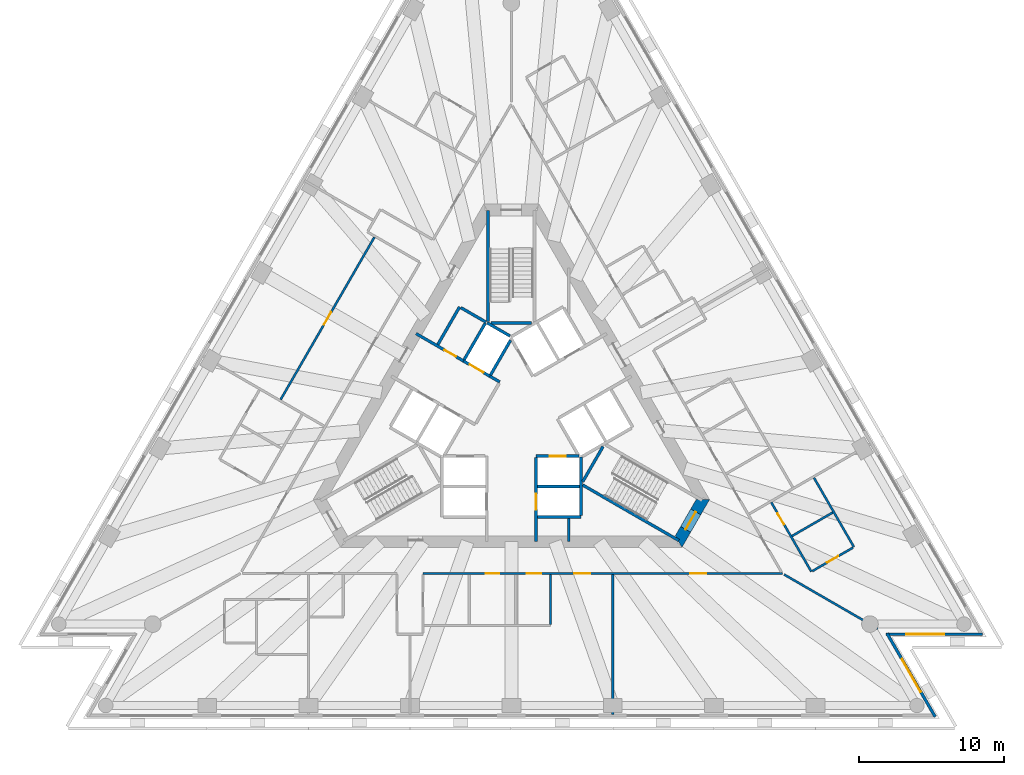
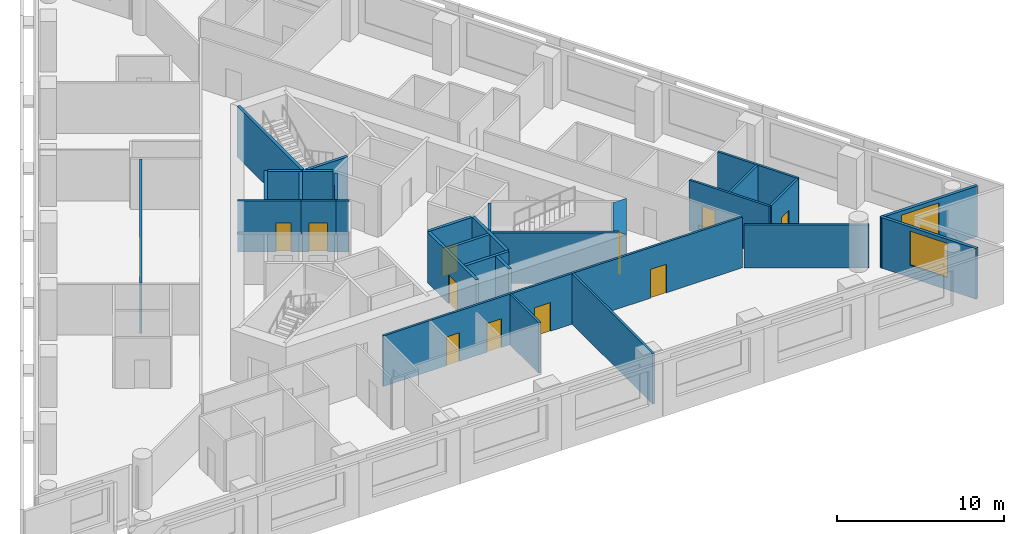
# One storey, part 5 of 10: 30 walls, 12 doors, 2 windows, 14 openings.
"""IFC4 building model written with IfcOpenShell, lengths in metres."""

import ifcopenshell
import ifcopenshell.guid

model = None  # the IFC model being written
_history = None  # IfcOwnerHistory: only IFC2X3 demands one
_inside = {}  # id of a spatial element -> (the spatial element, [elements in it])
_under = {}  # id of a project, library or spatial element -> (it, [spatial elements below it])
_declared = {}  # id of a project -> (the project, [libraries it declares])
_typed = {}  # id of a type object -> (the type object, [elements of that type])
_made_of = {}  # id of a material, layer set ... -> (it, [elements and type objects made of it])


def new_model(schema):
    """Start an empty IFC model of exactly this schema.

    Asked for "IFC4X3", IfcOpenShell would pick the latest addendum, in which some entities
    have other attributes; the version numbers below select the first issue.
    IFC2X3 requires an IfcOwnerHistory on every rooted entity: one is made here for all.
    """
    global model, _history
    if schema == "IFC4X3":
        model = ifcopenshell.file(schema_version=(4, 3, 0, 0))
    else:
        model = ifcopenshell.file(schema=schema)
    _inside.clear()
    _under.clear()
    _declared.clear()
    _typed.clear()
    _made_of.clear()
    _history = None
    if model.schema == "IFC2X3":
        org = make("IfcOrganization", Name="unknown")
        user = make(
            "IfcPersonAndOrganization",
            ThePerson=make("IfcPerson", FamilyName="unknown"),
            TheOrganization=org,
        )
        app = make(
            "IfcApplication",
            ApplicationDeveloper=org,
            Version="unknown",
            ApplicationFullName="unknown",
            ApplicationIdentifier="unknown",
        )
        _history = make(
            "IfcOwnerHistory",
            OwningUser=user,
            OwningApplication=app,
            ChangeAction="ADDED",
            CreationDate=0,
        )
    return model


def make(cls, **values):
    """One entity of the class cls with the attributes given. An attribute that is None is left unset."""
    return model.create_entity(
        cls, **{name: value for name, value in values.items() if value is not None}
    )


def rooted(cls, **values):
    """An entity with a GlobalId (a new one), such as an element, a storey or a relation."""
    return make(cls, GlobalId=ifcopenshell.guid.new(), OwnerHistory=_history, **values)


def si_unit(unit_type, name, prefix=None):
    """IfcSIUnit, for example si_unit("LENGTHUNIT", "METRE", prefix="MILLI")."""
    return make("IfcSIUnit", UnitType=unit_type, Prefix=prefix, Name=name)


def assignment(units):
    """IfcUnitAssignment: the units of a project."""
    return None if units is None else make("IfcUnitAssignment", Units=units)


def point(xyz):
    """IfcCartesianPoint."""
    return None if xyz is None else make("IfcCartesianPoint", Coordinates=xyz)


def direction(xyz):
    """IfcDirection."""
    return None if xyz is None else make("IfcDirection", DirectionRatios=xyz)


def frame(location, z_axis=None, x_axis=None):
    """IfcAxis2Placement3D, a coordinate frame: its origin and axes. An axis left out is left unset."""
    return make(
        "IfcAxis2Placement3D",
        Location=point(location),
        Axis=direction(z_axis),
        RefDirection=direction(x_axis),
    )


def frame_2d(location, x_axis=None):
    """IfcAxis2Placement2D, a coordinate frame in the plane: its origin and x axis."""
    return make(
        "IfcAxis2Placement2D", Location=point(location), RefDirection=direction(x_axis)
    )


def origin():
    """The frame at (0, 0, 0) with its axes left unset."""
    return frame((0.0, 0.0, 0.0))


def place(relative_to, where):
    """IfcLocalPlacement: puts the frame where relative to a parent placement (None: the world)."""
    return make(
        "IfcLocalPlacement", PlacementRelTo=relative_to, RelativePlacement=where
    )


def context(
    kind, dimensions, precision=None, world=None, true_north=None, identifier=None
):
    """IfcGeometricRepresentationContext, for example the 3D "Model" context."""
    return make(
        "IfcGeometricRepresentationContext",
        ContextIdentifier=identifier,
        ContextType=kind,
        CoordinateSpaceDimension=dimensions,
        Precision=precision,
        WorldCoordinateSystem=world,
        TrueNorth=true_north,
    )


def subcontext(parent, identifier, kind, view, scale=None):
    """IfcGeometricRepresentationSubContext, for example "Body" below "Model"."""
    return make(
        "IfcGeometricRepresentationSubContext",
        ContextIdentifier=identifier,
        ContextType=kind,
        ParentContext=parent,
        TargetScale=scale,
        TargetView=view,
    )


def project(units=None, contexts=None):
    """IfcProject with its units and contexts."""
    return rooted(
        "IfcProject",
        Name="project",
        RepresentationContexts=contexts,
        UnitsInContext=assignment(units),
    )


def spatial(cls, under=None, at=None, **own):
    """A site, building, storey or space (cls), placed at a placement, below another one or the project."""
    s = rooted(cls, ObjectPlacement=at, **own)
    if under is not None:
        _under.setdefault(under.id(), (under, []))[1].append(s)
    return s


def polyline(points):
    """IfcPolyline through the points."""
    return make("IfcPolyline", Points=[point(p) for p in points])


def profile(cls, at=None, kind="AREA", **sizes):
    """A parametric profile (cls). Its sizes go by their IFC names, for example OverallWidth=200.0."""
    return make(cls, ProfileType=kind, Position=at, **sizes)


def rectangle(**sizes):
    """IfcRectangleProfileDef."""
    return profile("IfcRectangleProfileDef", **sizes)


def outline(outer, holes=None, kind="AREA"):
    """IfcArbitraryClosedProfileDef: a profile drawn as a closed curve; with holes, ...WithVoids."""
    if holes is None:
        return make("IfcArbitraryClosedProfileDef", ProfileType=kind, OuterCurve=outer)
    return make(
        "IfcArbitraryProfileDefWithVoids",
        ProfileType=kind,
        OuterCurve=outer,
        InnerCurves=holes,
    )


def extrude(swept, where, along, depth):
    """IfcExtrudedAreaSolid: the profile swept, set in the frame where, extruded along a direction by depth."""
    return make(
        "IfcExtrudedAreaSolid",
        SweptArea=swept,
        Position=where,
        ExtrudedDirection=direction(along),
        Depth=depth,
    )


def shape(context_of_items, identifier, shape_type, items):
    """IfcShapeRepresentation: the items that make up one representation, for example the "Body"."""
    return make(
        "IfcShapeRepresentation",
        ContextOfItems=context_of_items,
        RepresentationIdentifier=identifier,
        RepresentationType=shape_type,
        Items=items,
    )


def material(Name=None, Category=None):
    """IfcMaterial."""
    return make("IfcMaterial", Name=Name, Category=Category)


def layer(
    of_material, thickness, ventilated=None, Name=None, Category=None, Priority=None
):
    """IfcMaterialLayer: one layer of a wall or slab, of a material (None: an air gap)."""
    return make(
        "IfcMaterialLayer",
        Material=of_material,
        LayerThickness=thickness,
        IsVentilated=ventilated,
        Name=Name,
        Category=Category,
        Priority=Priority,
    )


def layer_set(layers, Name=None):
    """IfcMaterialLayerSet."""
    return make("IfcMaterialLayerSet", MaterialLayers=layers, LayerSetName=Name)


def layer_usage(for_layer_set, set_direction, sense, offset, extent=None):
    """IfcMaterialLayerSetUsage: how a layer set lies in its element."""
    return make(
        "IfcMaterialLayerSetUsage",
        ForLayerSet=for_layer_set,
        LayerSetDirection=set_direction,
        DirectionSense=sense,
        OffsetFromReferenceLine=offset,
        ReferenceExtent=extent,
    )


def made_of(thing, what):
    """Note that an element or type object is made of a material, layer set ...; save() writes the relation."""
    if what is not None:
        _made_of.setdefault(what.id(), (what, []))[1].append(thing)
    return thing


def type_object(cls, material=None, **own):
    """A type object (cls), such as IfcWallType, which elements share."""
    return made_of(rooted(cls, **own), material)


def element(
    cls,
    number,
    at=None,
    inside=None,
    cuts=None,
    type_object=None,
    material=None,
    context=None,
    identifier="Body",
    shape_type=None,
    held_by="IfcProductDefinitionShape",
    body=None,
    shapes=None,
    **own,
):
    """One element of the class cls, such as IfcWall. Its Tag is "e" and its number.

    at: its placement. inside: the storey or other place that contains it. cuts: it is an
    opening in that element (IfcRelVoidsElement). A single representation is given by context,
    identifier, shape_type and body (its items); several are given by shapes. held_by: the class
    of the entity that holds the representations. save() writes the other relations.
    """
    e = rooted(cls, Tag="e%d" % number, ObjectPlacement=at, **own)
    if body is not None:
        shapes = [shape(context, identifier, shape_type, body)]
    if shapes is not None:
        e.Representation = make(held_by, Representations=shapes)
    if inside is not None:
        _inside.setdefault(inside.id(), (inside, []))[1].append(e)
    if cuts is not None:
        rooted(
            "IfcRelVoidsElement", RelatingBuildingElement=cuts, RelatedOpeningElement=e
        )
    if type_object is not None:
        _typed.setdefault(type_object.id(), (type_object, []))[1].append(e)
    return made_of(e, material)


def fill(opening, filler):
    """IfcRelFillsElement: the door or window that sits in an opening."""
    return rooted(
        "IfcRelFillsElement",
        RelatingOpeningElement=opening,
        RelatedBuildingElement=filler,
    )


def aggregate(whole, parts):
    """IfcRelAggregates: a whole, such as a stair, and the parts it consists of."""
    return rooted("IfcRelAggregates", RelatingObject=whole, RelatedObjects=parts)


def save(model, path):
    """Write the relations noted so far, then the file.

    IfcRelAggregates (storeys below a building ...), IfcRelContainedInSpatialStructure (elements
    in a storey), IfcRelDefinesByType, IfcRelAssociatesMaterial and IfcRelDeclares: one each for
    every whole, place, type object, material and project.
    """
    for whole, parts in _under.values():
        aggregate(whole, parts)
    for where, things in _inside.values():
        rooted(
            "IfcRelContainedInSpatialStructure",
            RelatedElements=things,
            RelatingStructure=where,
        )
    for kind, things in _typed.values():
        rooted("IfcRelDefinesByType", RelatedObjects=things, RelatingType=kind)
    for what, things in _made_of.values():
        rooted("IfcRelAssociatesMaterial", RelatedObjects=things, RelatingMaterial=what)
    for by, libraries in _declared.values():
        rooted("IfcRelDeclares", RelatingContext=by, RelatedDefinitions=libraries)
    model.write(path)


model = new_model("IFC4")

# Units and contexts
model_context = context("Model", 3, precision=1e-05, world=origin(), true_north=direction((0.0, 1.0)))
body_context = subcontext(model_context, "Body", "Model", "MODEL_VIEW")
ifc_project = project(units=[si_unit("LENGTHUNIT", "METRE"), si_unit("AREAUNIT", "SQUARE_METRE"), si_unit("VOLUMEUNIT", "CUBIC_METRE"), si_unit("PLANEANGLEUNIT", "RADIAN"), si_unit("MASSUNIT", "GRAM", prefix="KILO")], contexts=[model_context])

# Site, building, storey
site_placement = place(None, origin())
site = spatial("IfcSite", under=ifc_project, at=site_placement, CompositionType="ELEMENT")
building_placement = place(site_placement, origin())
building = spatial("IfcBuilding", under=site, at=building_placement, Name="Triada Interchange Tower", CompositionType="ELEMENT")
storey_placement = place(building_placement, frame((0.0, 0.0, 108.300048828125)))
storey = spatial("IfcBuildingStorey", under=building, at=storey_placement, Name="L24", CompositionType="ELEMENT", Elevation=108.300048828125)

# Walls
ifc_material_1 = material(Name="Concrete C30/37", Category="concrete")
ifc_layer_1 = layer(ifc_material_1, 0.199951171875)
ifc_layer_set_1 = layer_set([ifc_layer_1], Name="CORE WALL 200 EI 120")
wall_type_1 = type_object("IfcWallType", Name="CORE WALL 200 EI 120", PredefinedType="SOLIDWALL", material=ifc_layer_set_1)
wall_1_placement = place(storey_placement, frame((1.800048828125, -4.800048828125, 0.0), z_axis=(0.0, 0.0, 1.0), x_axis=(1.0, 0.0, 0.0)))
element("IfcWall", 1, at=wall_1_placement, inside=storey, type_object=wall_type_1, Name="Wall L23 67", PredefinedType="SOLIDWALL", context=body_context, shape_type="SweptSolid", body=[
    extrude(rectangle(XDim=2.89990234375, YDim=0.199951171875, at=frame_2d((1.449951171875, 0.0))), origin(), (0.0, 0.0, 1.0), 3.699951171875),
])
wall_2_placement = place(storey_placement, frame((1.800048828125, -6.89990234375, 0.0), z_axis=(0.0, 0.0, 1.0), x_axis=(1.0, 0.0, 0.0)))
element("IfcWall", 2, at=wall_2_placement, inside=storey, type_object=wall_type_1, Name="Wall L23 70", PredefinedType="SOLIDWALL", context=body_context, shape_type="SweptSolid", body=[
    extrude(rectangle(XDim=3.0, YDim=0.199951171875, at=frame_2d((1.5, 0.0))), origin(), (0.0, 0.0, 1.0), 3.699951171875),
])

# Wall, opening, door
wall_3_placement = place(storey_placement, frame((1.702880859375, -2.699951171875, 0.0), z_axis=(0.0, 0.0, 1.0), x_axis=(1.0, 0.0, 0.0)))
wall_3 = element("IfcWall", 3, at=wall_3_placement, inside=storey, type_object=wall_type_1, Name="Wall L23 73", PredefinedType="SOLIDWALL", context=body_context, shape_type="SweptSolid", body=[
    extrude(rectangle(XDim=2.97314453125, YDim=0.199951171875, at=frame_2d((1.486572265625, 0.0))), origin(), (0.0, 0.0, 1.0), 3.699951171875),
])
opening_1_placement = place(wall_3_placement, frame((0.93603515625, 0.0, 0.0)))
opening_1 = element("IfcOpeningElement", 4, at=opening_1_placement, cuts=wall_3, Name="Opening LD-LR1", PredefinedType="OPENING", context=body_context, shape_type="SweptSolid", body=[
    extrude(rectangle(XDim=1.10009765625, YDim=2.10009765625, at=frame_2d((0.550048828125, 1.050048828125))), frame((0.0, 0.10986328125, 0.0), z_axis=(0.0, -1.0, 0.0), x_axis=(1.0, 0.0, 0.0)), (0.0, 0.0, 1.0), 0.219970703125),
])
ifc_material_2 = material(Name="Steel S235 door leaf", Category="steel")
door_type_1 = type_object("IfcDoorType", Name="LIFT LANDING DOOR 1100 EI 120", OperationType="SLIDING_TO_LEFT", PredefinedType="DOOR", material=ifc_material_2)
door_1_placement = place(opening_1_placement, origin())
door_1 = element("IfcDoor", 5, at=door_1_placement, inside=storey, type_object=door_type_1, Name="LR1 landing door L24", OperationType="SLIDING_TO_LEFT", OverallHeight=2.10009765625, OverallWidth=1.10009765625, PredefinedType="DOOR", context=body_context, shape_type="SweptSolid", body=[
    extrude(rectangle(XDim=1.10009765625, YDim=2.10009765625, at=frame_2d((0.550048828125, 1.050048828125))), frame((0.0, 0.02490234375, 0.0), z_axis=(0.0, -1.0, 0.0), x_axis=(1.0, 0.0, 0.0)), (0.0, 0.0, 1.0), 0.050048828125),
])
fill(opening_1, door_1)

wall_4_placement = place(storey_placement, frame((1.699951171875, -8.580078125, 0.0), z_axis=(0.0, 0.0, 1.0), x_axis=(0.0, 1.0, 0.0)))
wall_4 = element("IfcWall", 6, at=wall_4_placement, inside=storey, type_object=wall_type_1, Name="Wall L23 78", PredefinedType="SOLIDWALL", context=body_context, shape_type="SweptSolid", body=[
    extrude(rectangle(XDim=5.777099609375, YDim=0.199951171875, at=frame_2d((2.888671875, 0.0))), origin(), (0.0, 0.0, 1.0), 3.699951171875),
])
opening_2_placement = place(wall_4_placement, frame((2.179931640625, 0.0, 0.0)))
opening_2 = element("IfcOpeningElement", 7, at=opening_2_placement, cuts=wall_4, Name="Opening LD-LR2", PredefinedType="OPENING", context=body_context, shape_type="SweptSolid", body=[
    extrude(rectangle(XDim=1.10009765625, YDim=2.10009765625, at=frame_2d((0.550048828125, 1.050048828125))), frame((0.0, 0.10986328125, 0.0), z_axis=(0.0, -1.0, 0.0), x_axis=(1.0, 0.0, 0.0)), (0.0, 0.0, 1.0), 0.219970703125),
])
door_2_placement = place(opening_2_placement, origin())
door_2 = element("IfcDoor", 8, at=door_2_placement, inside=storey, type_object=door_type_1, Name="LR2 landing door L24", OperationType="SLIDING_TO_LEFT", OverallHeight=2.10009765625, OverallWidth=1.10009765625, PredefinedType="DOOR", context=body_context, shape_type="SweptSolid", body=[
    extrude(rectangle(XDim=1.10009765625, YDim=2.10009765625, at=frame_2d((0.550048828125, 1.050048828125))), frame((0.0, 0.02490234375, 0.0), z_axis=(0.0, -1.0, 0.0), x_axis=(1.0, 0.0, 0.0)), (0.0, 0.0, 1.0), 0.050048828125),
])
fill(opening_2, door_2)

# Wall
wall_5_placement = place(storey_placement, frame((4.800048828125, -6.800048828125, 0.0), z_axis=(0.0, 0.0, 1.0), x_axis=(0.0, 1.0, 0.0)))
element("IfcWall", 9, at=wall_5_placement, inside=storey, type_object=wall_type_1, Name="Wall L23 79", PredefinedType="SOLIDWALL", context=body_context, shape_type="SweptSolid", body=[
    extrude(rectangle(XDim=4.029052734375, YDim=0.199951171875, at=frame_2d((2.0146484375, 0.0))), origin(), (0.0, 0.0, 1.0), 3.699951171875),
])

# Wall, opening, door
ifc_layer_2 = layer(ifc_material_1, 0.199951171875)
ifc_layer_set_2 = layer_set([ifc_layer_2], Name="CORE WALL 200 EI 180")
wall_type_2 = type_object("IfcWallType", Name="CORE WALL 200 EI 180", PredefinedType="SOLIDWALL", material=ifc_layer_set_2)
wall_6_placement = place(storey_placement, frame((-6.580078125, 5.761962890625, 0.0), z_axis=(0.0, 0.0, 1.0), x_axis=(0.866029704776, -0.49999255039, 0.0)))
wall_6 = element("IfcWall", 10, at=wall_6_placement, inside=storey, type_object=wall_type_2, Name="Wall L23 88", PredefinedType="SOLIDWALL", context=body_context, shape_type="SweptSolid", body=[
    extrude(rectangle(XDim=3.78173828125, YDim=0.199951171875, at=frame_2d((1.890869140625, 0.0))), origin(), (0.0, 0.0, 1.0), 3.699951171875),
])
opening_3_placement = place(wall_6_placement, frame((2.279052734375, 0.0, 0.0)))
opening_3 = element("IfcOpeningElement", 11, at=opening_3_placement, cuts=wall_6, Name="Opening D23-10", PredefinedType="OPENING", context=body_context, shape_type="SweptSolid", body=[
    extrude(rectangle(XDim=0.89990234375, YDim=2.10009765625, at=frame_2d((0.449951171875, 1.050048828125))), frame((0.0, 0.10986328125, 0.0), z_axis=(0.0, -1.0, 0.0), x_axis=(1.0, 0.0, 0.0)), (0.0, 0.0, 1.0), 0.219970703125),
])
door_type_2 = type_object("IfcDoorType", Name="SERVICE DOOR 900 EI2 90-C5S200", OperationType="NOTDEFINED", PredefinedType="DOOR", material=ifc_material_2)
door_3_placement = place(opening_3_placement, origin())
door_3 = element("IfcDoor", 12, at=door_3_placement, inside=storey, type_object=door_type_2, Name="Door D23-10 L24", OperationType="SINGLE_SWING_LEFT", OverallHeight=2.10009765625, OverallWidth=0.89990234375, PredefinedType="DOOR", context=body_context, shape_type="SweptSolid", body=[
    extrude(rectangle(XDim=0.89990234375, YDim=2.10009765625, at=frame_2d((0.449951171875, 1.050048828125))), frame((0.0, 0.02490234375, 0.0), z_axis=(0.0, -1.0, 0.0), x_axis=(1.0, 0.0, 0.0)), (0.0, 0.0, 1.0), 0.050048828125),
])
fill(opening_3, door_3)

# Walls
wall_7_placement = place(storey_placement, frame((-1.488037109375, 2.822021484375, 0.0), z_axis=(0.0, 0.0, 1.0), x_axis=(0.866236612152, -0.499633997809, 0.0)))
element("IfcWall", 13, at=wall_7_placement, inside=storey, type_object=wall_type_2, Name="Wall L23 89", PredefinedType="SOLIDWALL", context=body_context, shape_type="SweptSolid", body=[
    extrude(rectangle(XDim=0.79638671875, YDim=0.199951171875, at=frame_2d((0.398193359375, 0.0))), origin(), (0.0, 0.0, 1.0), 3.699951171875),
])
wall_8_placement = place(storey_placement, frame((-5.075927734375, 5.009033203125, 0.0), z_axis=(0.0, 0.0, 1.0), x_axis=(0.50002537861, 0.866010750942, 0.0)))
element("IfcWall", 14, at=wall_8_placement, inside=storey, type_object=wall_type_2, Name="Wall L23 90", PredefinedType="SOLIDWALL", context=body_context, shape_type="SweptSolid", body=[
    extrude(rectangle(XDim=2.999755859375, YDim=0.199951171875, at=frame_2d((1.5, 0.0))), origin(), (0.0, 0.0, 1.0), 3.699951171875),
])
wall_9_placement = place(storey_placement, frame((-3.489013671875, 7.556884765625, 0.0), z_axis=(0.0, 0.0, 1.0), x_axis=(0.866010750942, -0.50002537861, 0.0)))
element("IfcWall", 15, at=wall_9_placement, inside=storey, type_object=wall_type_2, Name="Wall L23 91", PredefinedType="SOLIDWALL", context=body_context, shape_type="SweptSolid", body=[
    extrude(rectangle(XDim=2.0, YDim=0.199951171875, at=frame_2d((1.0, 0.0))), origin(), (0.0, 0.0, 1.0), 3.699951171875),
])

# Wall, opening, door
wall_10_placement = place(storey_placement, frame((-3.30908203125, 3.873046875, 0.0), z_axis=(0.0, 0.0, 1.0), x_axis=(0.866098583652, -0.499873227325, 0.0)))
wall_10 = element("IfcWall", 16, at=wall_10_placement, inside=storey, type_object=wall_type_2, Name="Shaft wall FF2 L23 97", PredefinedType="SOLIDWALL", context=body_context, shape_type="SweptSolid", body=[
    extrude(rectangle(XDim=2.1025390625, YDim=0.199951171875, at=frame_2d((1.05126953125, 0.0))), origin(), (0.0, 0.0, 1.0), 3.699951171875),
])
opening_4_placement = place(wall_10_placement, frame((0.501953125, 0.0, 0.0)))
opening_4 = element("IfcOpeningElement", 17, at=opening_4_placement, cuts=wall_10, Name="Opening LD-FF2", PredefinedType="OPENING", context=body_context, shape_type="SweptSolid", body=[
    extrude(rectangle(XDim=1.10009765625, YDim=2.10009765625, at=frame_2d((0.550048828125, 1.050048828125))), frame((0.0, 0.10986328125, 0.0), z_axis=(0.0, -1.0, 0.0), x_axis=(1.0, 0.0, 0.0)), (0.0, 0.0, 1.0), 0.219970703125),
])
door_4_placement = place(opening_4_placement, origin())
door_4 = element("IfcDoor", 18, at=door_4_placement, inside=storey, type_object=door_type_1, Name="FF2 landing door L24", OperationType="SLIDING_TO_LEFT", OverallHeight=2.10009765625, OverallWidth=1.10009765625, PredefinedType="DOOR", context=body_context, shape_type="SweptSolid", body=[
    extrude(rectangle(XDim=1.10009765625, YDim=2.10009765625, at=frame_2d((0.550048828125, 1.050048828125))), frame((0.0, 0.02490234375, 0.0), z_axis=(0.0, -1.0, 0.0), x_axis=(1.0, 0.0, 0.0)), (0.0, 0.0, 1.0), 0.050048828125),
])
fill(opening_4, door_4)

# Walls
wall_11_placement = place(storey_placement, frame((-3.257080078125, 3.958984375, 0.0), z_axis=(0.0, 0.0, 1.0), x_axis=(0.50012328804, 0.865954211699, 0.0)))
element("IfcWall", 19, at=wall_11_placement, inside=storey, type_object=wall_type_2, Name="Shaft wall FF2 L23 98", PredefinedType="SOLIDWALL", context=body_context, shape_type="SweptSolid", body=[
    extrude(rectangle(XDim=2.899658203125, YDim=0.199951171875, at=frame_2d((1.44970703125, 0.0))), origin(), (0.0, 0.0, 1.0), 3.699951171875),
])
wall_12_placement = place(storey_placement, frame((-1.669921875, 6.507080078125, 0.0), z_axis=(0.0, 0.0, 1.0), x_axis=(0.865941441609, -0.500145398563, 0.0)))
element("IfcWall", 20, at=wall_12_placement, inside=storey, type_object=wall_type_2, Name="Shaft wall FF2 L23 99", PredefinedType="SOLIDWALL", context=body_context, shape_type="SweptSolid", body=[
    extrude(rectangle(XDim=1.8154296875, YDim=0.199951171875, at=frame_2d((0.90771484375, 0.0))), origin(), (0.0, 0.0, 1.0), 3.699951171875),
])
wall_13_placement = place(storey_placement, frame((-1.43798828125, 2.908935546875, 0.0), z_axis=(0.0, 0.0, 1.0), x_axis=(0.499829630636, 0.866123744241, 0.0)))
element("IfcWall", 21, at=wall_13_placement, inside=storey, type_object=wall_type_2, Name="Shaft wall FF2 L23 100", PredefinedType="SOLIDWALL", context=body_context, shape_type="SweptSolid", body=[
    extrude(rectangle(XDim=2.7607421875, YDim=0.199951171875, at=frame_2d((1.38037109375, 0.0))), origin(), (0.0, 0.0, 1.0), 3.699951171875),
])
ifc_layer_3 = layer(ifc_material_1, 0.199951171875)
ifc_layer_set_3 = layer_set([ifc_layer_3], Name="CORE WALL 200 EI 90")
wall_type_3 = type_object("IfcWallType", Name="CORE WALL 200 EI 90", PredefinedType="SOLIDWALL", material=ifc_layer_set_3)
wall_14_placement = place(storey_placement, frame((3.966064453125, -8.580078125, 0.0), z_axis=(0.0, 0.0, 1.0), x_axis=(0.0, 1.0, 0.0)))
element("IfcWall", 22, at=wall_14_placement, inside=storey, type_object=wall_type_3, Name="Wall L23 101", PredefinedType="SOLIDWALL", context=body_context, shape_type="SweptSolid", body=[
    extrude(rectangle(XDim=1.580078125, YDim=0.199951171875, at=frame_2d((0.7900390625, 0.0))), origin(), (0.0, 0.0, 1.0), 3.699951171875),
])
ifc_layer_4 = layer(ifc_material_1, 0.199951171875)
ifc_layer_set_4 = layer_set([ifc_layer_4], Name="CORE WALL 200 REI 240")
wall_type_4 = type_object("IfcWallType", Name="CORE WALL 200 REI 240", PredefinedType="SOLIDWALL", material=ifc_layer_set_4)
wall_15_placement = place(storey_placement, frame((-1.39990234375, 6.5, 0.0), z_axis=(0.0, 0.0, 1.0), x_axis=(1.0, 0.0, 0.0)))
element("IfcWall", 23, at=wall_15_placement, inside=storey, type_object=wall_type_4, Name="Wall L23 107", PredefinedType="SOLIDWALL", context=body_context, shape_type="SweptSolid", body=[
    extrude(rectangle(XDim=2.7998046875, YDim=0.199951171875, at=frame_2d((1.39990234375, 0.0))), origin(), (0.0, 0.0, 1.0), 3.699951171875),
])
for number, where, z_axis, x_axis, name in (
    (24, (-1.60009765625, 6.614990234375, 0.0), (0.0, 0.0, 1.0), (0.0, 1.0, 0.0), "Wall L23 108"),
    (25, (4.928955078125, -4.693115234375, 0.0), (0.0, 0.0, 1.0), (0.866005769735, -0.50003400563, 0.0), "Wall L23 109"),
):
    element("IfcWall", number, at=place(storey_placement, frame(where, z_axis=z_axis, x_axis=x_axis)), inside=storey, type_object=wall_type_4, Name=name, PredefinedType="SOLIDWALL", context=body_context, shape_type="SweptSolid", body=[
        extrude(rectangle(XDim=7.6650390625, YDim=0.199951171875, at=frame_2d((3.83251953125, 0.0))), origin(), (0.0, 0.0, 1.0), 3.699951171875),
    ])
wall_16_placement = place(storey_placement, frame((4.928955078125, -4.4619140625, 0.0), z_axis=(0.0, 0.0, 1.0), x_axis=(0.500200581029, 0.865909567298, 0.0)))
element("IfcWall", 26, at=wall_16_placement, inside=storey, type_object=wall_type_4, Name="Wall L23 110", PredefinedType="SOLIDWALL", context=body_context, shape_type="SweptSolid", body=[
    extrude(rectangle(XDim=2.799072265625, YDim=0.199951171875, at=frame_2d((1.3994140625, 0.0))), origin(), (0.0, 0.0, 1.0), 3.699951171875),
])

# Wall, opening, door
ifc_material_3 = material(Name="Concrete C60/75", Category="concrete")
ifc_layer_5 = layer(ifc_material_3, 0.800048828125)
ifc_layer_set_5 = layer_set([ifc_layer_5], Name="Core wall B 800")
wall_type_5 = type_object("IfcWallType", Name="Core wall B 800", PredefinedType="SHEAR", material=ifc_layer_set_5)
wall_17_placement = place(storey_placement, frame((11.547119140625, -8.60009765625, -0.300048828125), z_axis=(0.0, 0.0, 1.0), x_axis=(0.49987182685, 0.866099391942, 0.0)))
wall_17 = element("IfcWall", 27, at=wall_17_placement, inside=storey, type_object=wall_type_5, Name="Core wall WB05 L24", PredefinedType="SHEAR", context=body_context, shape_type="SweptSolid", body=[
    extrude(outline(polyline([(-0.23095703125, -0.39990234375), (1.674072265625, -0.39990234375), (3.5791015625, -0.39990234375), (3.117919921875, 0.39990234375), (1.67431640625, 0.39990234375), (0.23095703125, 0.39990234375), (-0.23095703125, -0.39990234375)])), origin(), (0.0, 0.0, 1.0), 4.0),
])
opening_5_placement = place(wall_17_placement, frame((0.97412109375, 0.0, 0.300048828125)))
opening_5 = element("IfcOpeningElement", 28, at=opening_5_placement, cuts=wall_17, Name="Opening D23-45", PredefinedType="OPENING", context=body_context, shape_type="SweptSolid", body=[
    extrude(rectangle(XDim=1.39990234375, YDim=2.10009765625, at=frame_2d((0.699951171875, 1.050048828125))), frame((0.0, 0.409912109375, 0.0), z_axis=(0.0, -1.0, 0.0), x_axis=(1.0, 0.0, 0.0)), (0.0, 0.0, 1.0), 0.820068359375),
])
door_type_3 = type_object("IfcDoorType", Name="STAIR DOOR 1400 EI2 90-C5S200", OperationType="DOUBLE_DOOR_SINGLE_SWING", PredefinedType="DOOR", material=ifc_material_2)
door_5_placement = place(opening_5_placement, origin())
door_5 = element("IfcDoor", 29, at=door_5_placement, inside=storey, type_object=door_type_3, Name="Door D23-45 L24", OperationType="DOUBLE_DOOR_SINGLE_SWING", OverallHeight=2.10009765625, OverallWidth=1.39990234375, PredefinedType="DOOR", context=body_context, shape_type="SweptSolid", body=[
    extrude(rectangle(XDim=1.39990234375, YDim=2.10009765625, at=frame_2d((0.699951171875, 1.050048828125))), frame((0.0, 0.02490234375, 0.0), z_axis=(0.0, -1.0, 0.0), x_axis=(1.0, 0.0, 0.0)), (0.0, 0.0, 1.0), 0.050048828125),
])
fill(opening_5, door_5)

# Wall, opening, window
ifc_material_4 = material(Name="Cement board")
ifc_layer_6 = layer(ifc_material_4, 0.02001953125, Name="Cement board cladding")
ifc_material_5 = material(Name="Sheathing board")
ifc_layer_7 = layer(ifc_material_5, 0.014892578125, Name="Sheathing board")
ifc_material_6 = material(Name="Mineral wool")
ifc_layer_8 = layer(ifc_material_6, 0.14990234375, Name="Mineral wool between steel studs")
ifc_material_7 = material(Name="Gypsum board")
ifc_layer_9 = layer(ifc_material_7, 0.014892578125, Name="Plasterboard lining")
ifc_layer_set_6 = layer_set([ifc_layer_6, ifc_layer_7, ifc_layer_8, ifc_layer_9], Name="External wall 200")
ifc_layer_usage = layer_usage(ifc_layer_set_6, "AXIS2", "POSITIVE", -0.10009765625)
wall_type_6 = type_object("IfcWallType", Name="External wall 200", PredefinedType="ELEMENTEDWALL", material=ifc_layer_set_6)
wall_18_placement = place(storey_placement, frame((29.264892578125, -20.695068359375, 0.0), z_axis=(0.0, 0.0, 1.0), x_axis=(-0.499933237632, 0.866063945624, 0.0)))
wall_18 = element("IfcWall", 30, at=wall_18_placement, inside=storey, type_object=wall_type_6, material=ifc_layer_usage, Name="External wall L24 SE-1", PredefinedType="ELEMENTEDWALL", context=body_context, shape_type="SweptSolid", body=[
    extrude(rectangle(XDim=6.65087890625, YDim=0.199951171875, at=frame_2d((3.325439453125, 0.0))), origin(), (0.0, 0.0, 1.0), 3.699951171875),
])
opening_6_placement = place(wall_18_placement, frame((1.989990234375, 0.0, 0.89990234375)))
opening_6 = element("IfcOpeningElement", 31, at=opening_6_placement, cuts=wall_18, Name="Opening WB19", PredefinedType="OPENING", context=body_context, shape_type="SweptSolid", body=[
    extrude(rectangle(XDim=2.60009765625, YDim=2.5, at=frame_2d((1.300048828125, 1.25))), frame((0.0, 0.10986328125, 0.0), z_axis=(0.0, -1.0, 0.0), x_axis=(1.0, 0.0, 0.0)), (0.0, 0.0, 1.0), 0.219970703125),
])
ifc_material_8 = material(Name="Double glazed aluminium window", Category="aluminium")
window_type = type_object("IfcWindowType", Name="Ribbon window B pocket", PartitioningType="SINGLE_PANEL", PredefinedType="WINDOW", material=ifc_material_8)
window_1_placement = place(opening_6_placement, origin())
window_1 = element("IfcWindow", 32, at=window_1_placement, inside=storey, type_object=window_type, Name="Window L24 SE-1 1", OverallHeight=2.5, OverallWidth=2.60009765625, PartitioningType="SINGLE_PANEL", PredefinedType="WINDOW", context=body_context, shape_type="SweptSolid", body=[
    extrude(rectangle(XDim=2.60009765625, YDim=2.5, at=frame_2d((1.300048828125, 1.25))), frame((0.0, 0.030029296875, 0.0), z_axis=(0.0, -1.0, 0.0), x_axis=(1.0, 0.0, 0.0)), (0.0, 0.0, 1.0), 0.06005859375),
])
fill(opening_6, window_1)

wall_19_placement = place(storey_placement, frame((25.885009765625, -14.99609375, 0.0), z_axis=(0.0, 0.0, 1.0), x_axis=(1.0, 0.0, 0.0)))
wall_19 = element("IfcWall", 33, at=wall_19_placement, inside=storey, type_object=wall_type_6, material=ifc_layer_usage, Name="External wall L24 SE-2", PredefinedType="ELEMENTEDWALL", context=body_context, shape_type="SweptSolid", body=[
    extrude(rectangle(XDim=6.64990234375, YDim=0.199951171875, at=frame_2d((3.324951171875, 0.0))), origin(), (0.0, 0.0, 1.0), 3.699951171875),
])
opening_7_placement = place(wall_19_placement, frame((1.389892578125, 0.0, 0.89990234375)))
opening_7 = element("IfcOpeningElement", 34, at=opening_7_placement, cuts=wall_19, Name="Opening WB20", PredefinedType="OPENING", context=body_context, shape_type="SweptSolid", body=[
    extrude(rectangle(XDim=2.60009765625, YDim=2.5, at=frame_2d((1.300048828125, 1.25))), frame((0.0, 0.10986328125, 0.0), z_axis=(0.0, -1.0, 0.0), x_axis=(1.0, 0.0, 0.0)), (0.0, 0.0, 1.0), 0.219970703125),
])
window_2_placement = place(opening_7_placement, origin())
window_2 = element("IfcWindow", 35, at=window_2_placement, inside=storey, type_object=window_type, Name="Window L24 SE-2 1", OverallHeight=2.5, OverallWidth=2.60009765625, PartitioningType="SINGLE_PANEL", PredefinedType="WINDOW", context=body_context, shape_type="SweptSolid", body=[
    extrude(rectangle(XDim=2.60009765625, YDim=2.5, at=frame_2d((1.300048828125, 1.25))), frame((0.0, 0.030029296875, 0.0), z_axis=(0.0, -1.0, 0.0), x_axis=(1.0, 0.0, 0.0)), (0.0, 0.0, 1.0), 0.06005859375),
])
fill(opening_7, window_2)

# Wall, openings, doors
ifc_material_9 = material(Name="Gypsum board partition")
ifc_layer_10 = layer(ifc_material_9, 0.14990234375)
ifc_layer_set_7 = layer_set([ifc_layer_10], Name="PARTITION 150 EI 180")
wall_type_7 = type_object("IfcWallType", Name="PARTITION 150 EI 180", PredefinedType="PARTITIONING", material=ifc_layer_set_7)
wall_20_placement = place(storey_placement, frame((-6.10107421875, -10.800048828125, 0.0), z_axis=(0.0, 0.0, 1.0), x_axis=(1.0, 0.0, 0.0)))
wall_20 = element("IfcWall", 36, at=wall_20_placement, inside=storey, type_object=wall_type_7, Name="Wall L23 5", PredefinedType="PARTITIONING", context=body_context, shape_type="SweptSolid", body=[
    extrude(rectangle(XDim=24.80712890625, YDim=0.14990234375, at=frame_2d((12.403564453125, 0.0))), origin(), (0.0, 0.0, 1.0), 3.699951171875),
])
opening_8_placement = place(wall_20_placement, frame((10.448974609375, 0.0, 0.0)))
opening_8 = element("IfcOpeningElement", 37, at=opening_8_placement, cuts=wall_20, Name="Opening D23-16", PredefinedType="OPENING", context=body_context, shape_type="SweptSolid", body=[
    extrude(rectangle(XDim=1.10009765625, YDim=2.10009765625, at=frame_2d((0.550048828125, 1.050048828125))), frame((0.0, 0.0849609375, 0.0), z_axis=(0.0, -1.0, 0.0), x_axis=(1.0, 0.0, 0.0)), (0.0, 0.0, 1.0), 0.169921875),
])
opening_9_placement = place(wall_20_placement, frame((4.34912109375, 0.0, 0.0)))
opening_9 = element("IfcOpeningElement", 38, at=opening_9_placement, cuts=wall_20, Name="Opening D23-18", PredefinedType="OPENING", context=body_context, shape_type="SweptSolid", body=[
    extrude(rectangle(XDim=0.89990234375, YDim=2.10009765625, at=frame_2d((0.449951171875, 1.050048828125))), frame((0.0, 0.0849609375, 0.0), z_axis=(0.0, -1.0, 0.0), x_axis=(1.0, 0.0, 0.0)), (0.0, 0.0, 1.0), 0.169921875),
])
opening_10_placement = place(wall_20_placement, frame((7.14892578125, 0.0, 0.0)))
opening_10 = element("IfcOpeningElement", 39, at=opening_10_placement, cuts=wall_20, Name="Opening D23-19", PredefinedType="OPENING", context=body_context, shape_type="SweptSolid", body=[
    extrude(rectangle(XDim=1.0, YDim=2.10009765625, at=frame_2d((0.5, 1.050048828125))), frame((0.0, 0.0849609375, 0.0), z_axis=(0.0, -1.0, 0.0), x_axis=(1.0, 0.0, 0.0)), (0.0, 0.0, 1.0), 0.169921875),
])
opening_11_placement = place(wall_20_placement, frame((18.452880859375, 0.0, 0.0)))
opening_11 = element("IfcOpeningElement", 40, at=opening_11_placement, cuts=wall_20, Name="Opening D23-20", PredefinedType="OPENING", context=body_context, shape_type="SweptSolid", body=[
    extrude(rectangle(XDim=1.10009765625, YDim=2.10009765625, at=frame_2d((0.550048828125, 1.050048828125))), frame((0.0, 0.0849609375, 0.0), z_axis=(0.0, -1.0, 0.0), x_axis=(1.0, 0.0, 0.0)), (0.0, 0.0, 1.0), 0.169921875),
])
door_type_4 = type_object("IfcDoorType", Name="ROOM DOOR 1000 EI2 90-C5S200", OperationType="NOTDEFINED", PredefinedType="DOOR", material=ifc_material_2)
door_6_placement = place(opening_10_placement, origin())
door_6 = element("IfcDoor", 41, at=door_6_placement, inside=storey, type_object=door_type_4, Name="Door D23-19 L24", OperationType="SINGLE_SWING_RIGHT", OverallHeight=2.10009765625, OverallWidth=1.0, PredefinedType="DOOR", context=body_context, shape_type="SweptSolid", body=[
    extrude(rectangle(XDim=1.0, YDim=2.10009765625, at=frame_2d((0.5, 1.050048828125))), frame((0.0, 0.02490234375, 0.0), z_axis=(0.0, -1.0, 0.0), x_axis=(1.0, 0.0, 0.0)), (0.0, 0.0, 1.0), 0.050048828125),
])
fill(opening_10, door_6)
door_type_5 = type_object("IfcDoorType", Name="ROOM DOOR 900 EI2 90-C5S200", OperationType="NOTDEFINED", PredefinedType="DOOR", material=ifc_material_2)
door_7_placement = place(opening_9_placement, origin())
door_7 = element("IfcDoor", 42, at=door_7_placement, inside=storey, type_object=door_type_5, Name="Door D23-18 L24", OperationType="SINGLE_SWING_RIGHT", OverallHeight=2.10009765625, OverallWidth=0.89990234375, PredefinedType="DOOR", context=body_context, shape_type="SweptSolid", body=[
    extrude(rectangle(XDim=0.89990234375, YDim=2.10009765625, at=frame_2d((0.449951171875, 1.050048828125))), frame((0.0, 0.02490234375, 0.0), z_axis=(0.0, -1.0, 0.0), x_axis=(1.0, 0.0, 0.0)), (0.0, 0.0, 1.0), 0.050048828125),
])
fill(opening_9, door_7)
door_type_6 = type_object("IfcDoorType", Name="TENANCY ENTRANCE DOOR 1100 EI2 90-C5S200", OperationType="NOTDEFINED", PredefinedType="DOOR", material=ifc_material_2)
door_8_placement = place(opening_8_placement, origin())
door_8 = element("IfcDoor", 43, at=door_8_placement, inside=storey, type_object=door_type_6, Name="Door D23-16 L24", OperationType="SINGLE_SWING_RIGHT", OverallHeight=2.10009765625, OverallWidth=1.10009765625, PredefinedType="DOOR", context=body_context, shape_type="SweptSolid", body=[
    extrude(rectangle(XDim=1.10009765625, YDim=2.10009765625, at=frame_2d((0.550048828125, 1.050048828125))), frame((0.0, 0.02490234375, 0.0), z_axis=(0.0, -1.0, 0.0), x_axis=(1.0, 0.0, 0.0)), (0.0, 0.0, 1.0), 0.050048828125),
])
fill(opening_8, door_8)
door_9_placement = place(opening_11_placement, origin())
door_9 = element("IfcDoor", 44, at=door_9_placement, inside=storey, type_object=door_type_6, Name="Door D23-20 L24", OperationType="SINGLE_SWING_LEFT", OverallHeight=2.10009765625, OverallWidth=1.10009765625, PredefinedType="DOOR", context=body_context, shape_type="SweptSolid", body=[
    extrude(rectangle(XDim=1.10009765625, YDim=2.10009765625, at=frame_2d((0.550048828125, 1.050048828125))), frame((0.0, 0.02490234375, 0.0), z_axis=(0.0, -1.0, 0.0), x_axis=(1.0, 0.0, 0.0)), (0.0, 0.0, 1.0), 0.050048828125),
])
fill(opening_11, door_9)

# Walls
wall_21_placement = place(storey_placement, frame((2.697998046875, -14.324951171875, 0.0), z_axis=(0.0, 0.0, 1.0), x_axis=(0.0, 1.0, 0.0)))
element("IfcWall", 45, at=wall_21_placement, inside=storey, type_object=wall_type_7, Name="Wall L23 25", PredefinedType="PARTITIONING", context=body_context, shape_type="SweptSolid", body=[
    extrude(rectangle(XDim=3.449951171875, YDim=0.14990234375, at=frame_2d((1.72509765625, 0.0))), origin(), (0.0, 0.0, 1.0), 3.699951171875),
])
wall_22_placement = place(storey_placement, frame((7.001953125, -20.537109375, 0.0), z_axis=(0.0, 0.0, 1.0), x_axis=(0.0, 1.0, 0.0)))
element("IfcWall", 46, at=wall_22_placement, inside=storey, type_object=wall_type_7, Name="Wall L23 30", PredefinedType="PARTITIONING", context=body_context, shape_type="SweptSolid", body=[
    extrude(rectangle(XDim=9.662109375, YDim=0.14990234375, at=frame_2d((4.8310546875, 0.0))), origin(), (0.0, 0.0, 1.0), 3.699951171875),
])
wall_23_placement = place(storey_placement, frame((18.8359375, -10.8740234375, 0.0), z_axis=(0.0, 0.0, 1.0), x_axis=(0.865999816151, -0.500044316462, 0.0)))
element("IfcWall", 47, at=wall_23_placement, inside=storey, type_object=wall_type_7, Name="Wall L23 41", PredefinedType="PARTITIONING", context=body_context, shape_type="SweptSolid", body=[
    extrude(rectangle(XDim=7.463134765625, YDim=0.14990234375, at=frame_2d((3.7314453125, 0.0))), origin(), (0.0, 0.0, 1.0), 3.14990234375),
])

# Wall, opening, door
ifc_layer_11 = layer(ifc_material_9, 0.14990234375)
ifc_layer_set_8 = layer_set([ifc_layer_11], Name="PARTITION 150 EI 90")
wall_type_8 = type_object("IfcWallType", Name="PARTITION 150 EI 90", PredefinedType="PARTITIONING", material=ifc_layer_set_8)
wall_24_placement = place(storey_placement, frame((-15.93408203125, 1.201904296875, 0.0), z_axis=(0.0, 0.0, 1.0), x_axis=(0.499994937304, 0.866028326714, 0.0)))
wall_24 = element("IfcWall", 48, at=wall_24_placement, inside=storey, type_object=wall_type_8, Name="Wall L23 52", PredefinedType="PARTITIONING", context=body_context, shape_type="SweptSolid", body=[
    extrude(rectangle(XDim=12.952392578125, YDim=0.14990234375, at=frame_2d((6.47607421875, 0.0))), origin(), (0.0, 0.0, 1.0), 3.699951171875),
])
opening_12_placement = place(wall_24_placement, frame((5.97705078125, 0.0, 0.0)))
opening_12 = element("IfcOpeningElement", 49, at=opening_12_placement, cuts=wall_24, Name="Opening D23-38", PredefinedType="OPENING", context=body_context, shape_type="SweptSolid", body=[
    extrude(rectangle(XDim=1.0, YDim=2.10009765625, at=frame_2d((0.5, 1.050048828125))), frame((0.0, 0.0849609375, 0.0), z_axis=(0.0, -1.0, 0.0), x_axis=(1.0, 0.0, 0.0)), (0.0, 0.0, 1.0), 0.169921875),
])
door_type_7 = type_object("IfcDoorType", Name="ROOM DOOR 1000 EI2 45-C5S200", OperationType="NOTDEFINED", PredefinedType="DOOR", material=ifc_material_2)
door_10_placement = place(opening_12_placement, origin())
door_10 = element("IfcDoor", 50, at=door_10_placement, inside=storey, type_object=door_type_7, Name="Door D23-38 L24", OperationType="SINGLE_SWING_LEFT", OverallHeight=2.10009765625, OverallWidth=1.0, PredefinedType="DOOR", context=body_context, shape_type="SweptSolid", body=[
    extrude(rectangle(XDim=1.0, YDim=2.10009765625, at=frame_2d((0.5, 1.050048828125))), frame((0.0, 0.02490234375, 0.0), z_axis=(0.0, -1.0, 0.0), x_axis=(1.0, 0.0, 0.0)), (0.0, 0.0, 1.0), 0.050048828125),
])
fill(opening_12, door_10)

wall_25_placement = place(storey_placement, frame((17.950927734375, -5.89208984375, 0.0), z_axis=(0.0, 0.0, 1.0), x_axis=(0.500083244257, -0.865977337356, 0.0)))
wall_25 = element("IfcWall", 51, at=wall_25_placement, inside=storey, type_object=wall_type_8, Name="Wall L23 59", PredefinedType="PARTITIONING", context=body_context, shape_type="SweptSolid", body=[
    extrude(rectangle(XDim=5.525390625, YDim=0.14990234375, at=frame_2d((2.7626953125, 0.0))), origin(), (0.0, 0.0, 1.0), 3.699951171875),
])
opening_13_placement = place(wall_25_placement, frame((0.875, 0.0, 0.0)))
opening_13 = element("IfcOpeningElement", 52, at=opening_13_placement, cuts=wall_25, Name="Opening D23-22", PredefinedType="OPENING", context=body_context, shape_type="SweptSolid", body=[
    extrude(rectangle(XDim=0.89990234375, YDim=2.10009765625, at=frame_2d((0.449951171875, 1.050048828125))), frame((0.0, 0.0849609375, 0.0), z_axis=(0.0, -1.0, 0.0), x_axis=(1.0, 0.0, 0.0)), (0.0, 0.0, 1.0), 0.169921875),
])
door_type_8 = type_object("IfcDoorType", Name="ROOM DOOR 900 EI2 45-C5S200", OperationType="NOTDEFINED", PredefinedType="DOOR", material=ifc_material_2)
door_11_placement = place(opening_13_placement, origin())
door_11 = element("IfcDoor", 53, at=door_11_placement, inside=storey, type_object=door_type_8, Name="Door D23-22 L24", OperationType="SINGLE_SWING_LEFT", OverallHeight=2.10009765625, OverallWidth=0.89990234375, PredefinedType="DOOR", context=body_context, shape_type="SweptSolid", body=[
    extrude(rectangle(XDim=0.89990234375, YDim=2.10009765625, at=frame_2d((0.449951171875, 1.050048828125))), frame((0.0, 0.02490234375, 0.0), z_axis=(0.0, -1.0, 0.0), x_axis=(1.0, 0.0, 0.0)), (0.0, 0.0, 1.0), 0.050048828125),
])
fill(opening_13, door_11)

# Walls
wall_26_placement = place(storey_placement, frame((19.37890625, -8.215087890625, 0.0), z_axis=(0.0, 0.0, 1.0), x_axis=(0.86599666273, 0.500049777664, 0.0)))
element("IfcWall", 54, at=wall_26_placement, inside=storey, type_object=wall_type_8, Name="Wall L23 61", PredefinedType="PARTITIONING", context=body_context, shape_type="SweptSolid", body=[
    extrude(rectangle(XDim=3.249755859375, YDim=0.14990234375, at=frame_2d((1.625, 0.0))), origin(), (0.0, 0.0, 1.0), 3.699951171875),
])
wall_27_placement = place(storey_placement, frame((20.89599609375, -4.19189453125, 0.0), z_axis=(0.0, 0.0, 1.0), x_axis=(0.499898410332, -0.866084048662, 0.0)))
element("IfcWall", 55, at=wall_27_placement, inside=storey, type_object=wall_type_8, Name="Wall L23 62", PredefinedType="PARTITIONING", context=body_context, shape_type="SweptSolid", body=[
    extrude(rectangle(XDim=5.525146484375, YDim=0.14990234375, at=frame_2d((2.7626953125, 0.0))), origin(), (0.0, 0.0, 1.0), 3.699951171875),
])

# Wall, opening, door
wall_28_placement = place(storey_placement, frame((20.779052734375, -10.639892578125, 0.0), z_axis=(0.0, 0.0, 1.0), x_axis=(0.865977875238, 0.500082312822, 0.0)))
wall_28 = element("IfcWall", 56, at=wall_28_placement, inside=storey, type_object=wall_type_8, Name="Wall L23 63", PredefinedType="PARTITIONING", context=body_context, shape_type="SweptSolid", body=[
    extrude(rectangle(XDim=3.24951171875, YDim=0.14990234375, at=frame_2d((1.624755859375, 0.0))), origin(), (0.0, 0.0, 1.0), 3.699951171875),
])
opening_14_placement = place(wall_28_placement, frame((1.175048828125, 0.0, 0.0)))
opening_14 = element("IfcOpeningElement", 57, at=opening_14_placement, cuts=wall_28, Name="Opening D23-23", PredefinedType="OPENING", context=body_context, shape_type="SweptSolid", body=[
    extrude(rectangle(XDim=0.89990234375, YDim=2.10009765625, at=frame_2d((0.449951171875, 1.050048828125))), frame((0.0, 0.0849609375, 0.0), z_axis=(0.0, -1.0, 0.0), x_axis=(1.0, 0.0, 0.0)), (0.0, 0.0, 1.0), 0.169921875),
])
door_12_placement = place(opening_14_placement, origin())
door_12 = element("IfcDoor", 58, at=door_12_placement, inside=storey, type_object=door_type_8, Name="Door D23-23 L24", OperationType="SINGLE_SWING_LEFT", OverallHeight=2.10009765625, OverallWidth=0.89990234375, PredefinedType="DOOR", context=body_context, shape_type="SweptSolid", body=[
    extrude(rectangle(XDim=0.89990234375, YDim=2.10009765625, at=frame_2d((0.449951171875, 1.050048828125))), frame((0.0, 0.02490234375, 0.0), z_axis=(0.0, -1.0, 0.0), x_axis=(1.0, 0.0, 0.0)), (0.0, 0.0, 1.0), 0.050048828125),
])
fill(opening_14, door_12)

save(model, "model.ifc")
